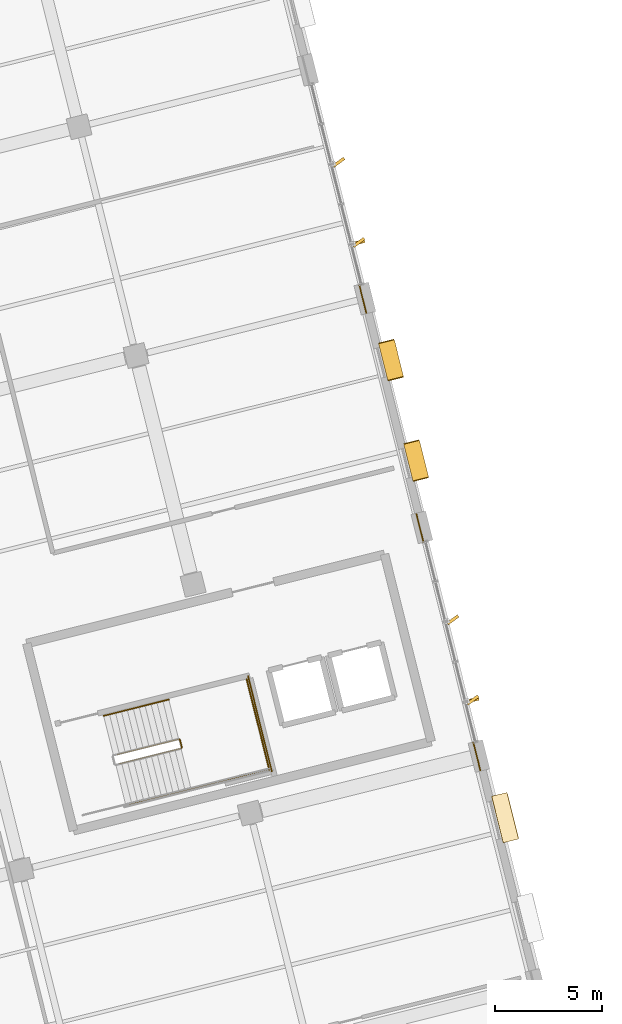
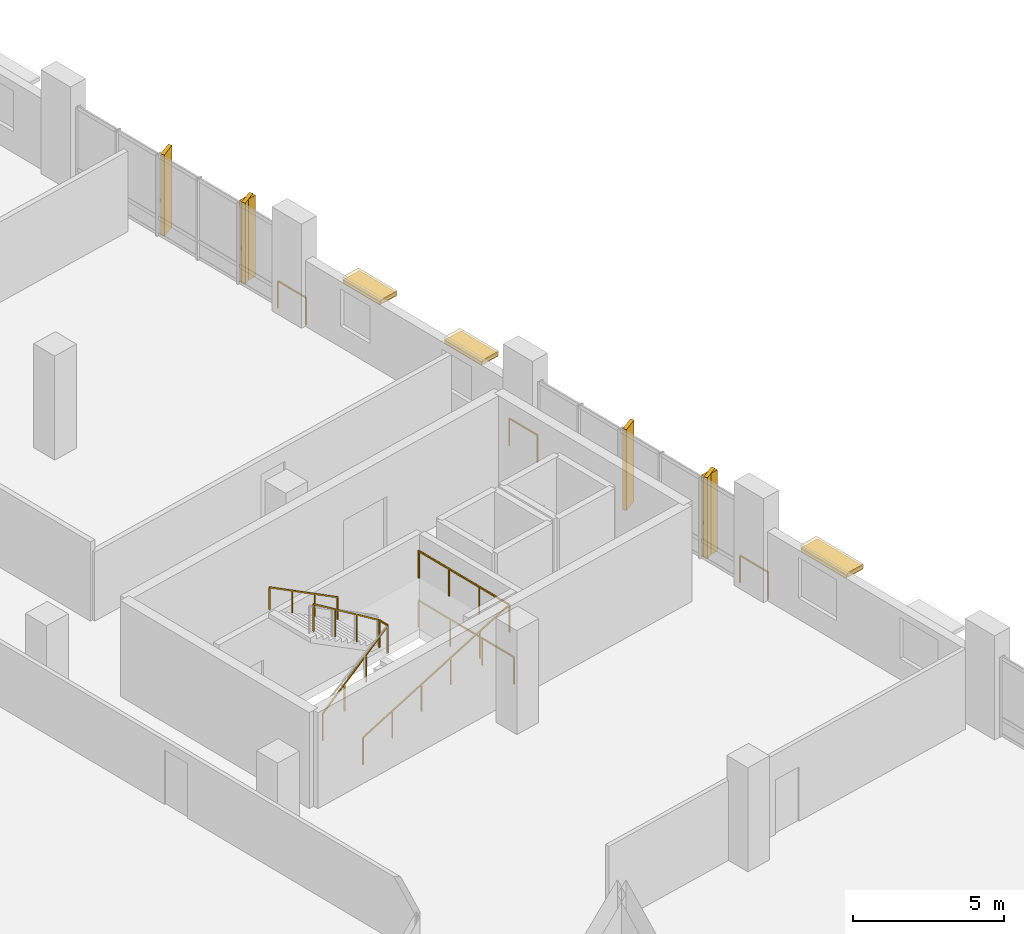
# One storey, part 74 of 75: 9 railings, 7 shading devices, 5 coverings.
"""IFC4 building model written with IfcOpenShell, lengths in metres."""

from ifc_helpers import new_model, si_unit, direction, frame, origin, origin_2d, place, context, subcontext, project, spatial, rectangle, extrude, material, layer, layer_set, type_object, element, save


model = new_model("IFC4")

# Units and contexts
model_context = context("Model", 3, precision=1e-05, world=origin(), true_north=direction((0.0, 1.0)))
body_context = subcontext(model_context, "Body", "Model", "MODEL_VIEW")
ifc_project = project(units=[si_unit("LENGTHUNIT", "METRE"), si_unit("AREAUNIT", "SQUARE_METRE"), si_unit("VOLUMEUNIT", "CUBIC_METRE"), si_unit("PLANEANGLEUNIT", "RADIAN"), si_unit("MASSUNIT", "GRAM", prefix="KILO")], contexts=[model_context])

# Site, building, storey
site_placement = place(None, origin())
site = spatial("IfcSite", under=ifc_project, at=site_placement, CompositionType="ELEMENT")
building_placement = place(site_placement, origin())
building = spatial("IfcBuilding", under=site, at=building_placement, Name="Khorjan Park Terminus", CompositionType="ELEMENT")
storey_placement = place(building_placement, frame((0.0, 0.0, 16.2)))
storey = spatial("IfcBuildingStorey", under=building, at=storey_placement, Name="L03", CompositionType="ELEMENT", Elevation=16.2)

# Coverings
ifc_material_1 = material(Name="Pigmented Precast GRC", Category="concrete")
ifc_layer_1 = layer(ifc_material_1, 0.16)
ifc_layer_set_1 = layer_set([ifc_layer_1], Name="Pigmented Precast GRC")
covering_type_1 = type_object("IfcCoveringType", Name="CV-FIN-GRC", PredefinedType="CLADDING", material=ifc_layer_set_1)
covering_1_placement = place(storey_placement, frame((224.4308, 41.9297, -0.02), z_axis=(0.0, 0.0, 1.0), x_axis=(-0.970295726276, -0.2419218956, 0.0)))
element("IfcCovering", 1, at=covering_1_placement, inside=storey, type_object=covering_type_1, Name="Projecting desert-sandstone GRC facade fin CL-FN1 (CW-V5-E-L03-B03-1)", PredefinedType="CLADDING", context=body_context, shape_type="SweptSolid", body=[
    extrude(rectangle(XDim=0.58, YDim=0.16, at=origin_2d()), origin(), (0.0, 0.0, 1.0), 3.275),
])
covering_2_placement = place(storey_placement, frame((219.1086, 63.2764, -0.02), z_axis=(0.0, 0.0, 1.0), x_axis=(-0.970295726276, -0.2419218956, 0.0)))
element("IfcCovering", 2, at=covering_2_placement, inside=storey, type_object=covering_type_1, Name="Projecting desert-sandstone GRC facade fin CL-FN1 (CW-V5-E-L03-B05-1)", PredefinedType="CLADDING", context=body_context, shape_type="SweptSolid", body=[
    extrude(rectangle(XDim=0.58, YDim=0.16, at=origin_2d()), origin(), (0.0, 0.0, 1.0), 3.285),
])
ifc_layer_2 = layer(ifc_material_1, 0.18)
ifc_layer_set_2 = layer_set([ifc_layer_2], Name="Pigmented Precast GRC")
covering_type_2 = type_object("IfcCoveringType", Name="CV-HOOD-GRC", PredefinedType="CLADDING", material=ifc_layer_set_2)
covering_3_placement = place(storey_placement, frame((225.9385, 36.4407, 2.58), z_axis=(0.0, 0.0, 1.0), x_axis=(-0.241919949632, 0.970296211458, 0.0)))
element("IfcCovering", 3, at=covering_3_placement, inside=storey, type_object=covering_type_2, Name="Projecting desert-sandstone GRC window eyebrow CL-HD1 (EW-V5-E-L03-B02-2)", PredefinedType="CLADDING", context=body_context, shape_type="SweptSolid", body=[
    extrude(rectangle(XDim=2.24, YDim=0.74, at=origin_2d()), origin(), (0.0, 0.0, 1.0), 0.16),
])
for number, where, z_axis, x_axis, name in (
    (4, (221.7858, 53.0963, 2.43), (0.0, 0.0, 1.0), (-0.241910213292, 0.970298638928, 0.0), "Projecting desert-sandstone GRC window eyebrow CL-HD1 (EW-V5-E-L03-B04-1)"),
    (5, (220.6161, 57.7876, 2.43), (0.0, 0.0, 1.0), (-0.241910213292, 0.970298638928, 0.0), "Projecting desert-sandstone GRC window eyebrow CL-HD1 (EW-V5-E-L03-B04-2)"),
):
    element("IfcCovering", number, at=place(storey_placement, frame(where, z_axis=z_axis, x_axis=x_axis)), inside=storey, type_object=covering_type_2, Name=name, PredefinedType="CLADDING", context=body_context, shape_type="SweptSolid", body=[
        extrude(rectangle(XDim=1.84, YDim=0.74, at=origin_2d()), origin(), (0.0, 0.0, 1.0), 0.16),
    ])

# Railings
ifc_material_2 = material(Name="Steel S355", Category="steel")
railing_type_1 = type_object("IfcRailingType", Name="GR-112", PredefinedType="GUARDRAIL", material=ifc_material_2)
railing_1_placement = place(storey_placement, frame((210.8518, 39.7211, 2.1)))
element("IfcRailing", 6, at=railing_1_placement, inside=storey, type_object=railing_type_1, Name="L03 ST-04 stair guard 2", PredefinedType="GUARDRAIL", context=body_context, shape_type="SweptSolid", body=[
    extrude(rectangle(XDim=0.048, YDim=0.048, at=origin_2d()), frame((0.0, 0.0, 1.096), z_axis=(-0.241947338122, 0.970289382388, 0.0), x_axis=(-0.970289382388, -0.241947338122, 0.0)), (0.0, 0.0, 1.0), 0.36),
    extrude(rectangle(XDim=0.042, YDim=0.042, at=origin_2d()), origin(), (0.0, 0.0, 1.0), 1.072),
    extrude(rectangle(XDim=0.042, YDim=0.042, at=origin_2d()), frame((-0.0871, 0.3493, 0.0)), (0.0, 0.0, 1.0), 1.072),
])
railing_2_placement = place(storey_placement, frame((214.9305, 38.6768, 2.1)))
element("IfcRailing", 7, at=railing_2_placement, inside=storey, type_object=railing_type_1, Name="L03 ST-04 stair guard 4", PredefinedType="GUARDRAIL", context=body_context, shape_type="SweptSolid", body=[
    extrude(rectangle(XDim=0.048, YDim=0.048, at=origin_2d()), frame((0.0, 0.0, 1.096), z_axis=(-0.241904163851, 0.970300147125, 0.0), x_axis=(-0.970300147125, -0.241904163851, 0.0)), (0.0, 0.0, 1.0), 4.36),
    extrude(rectangle(XDim=0.042, YDim=0.042, at=origin_2d()), origin(), (0.0, 0.0, 1.0), 1.072),
    extrude(rectangle(XDim=0.042, YDim=0.042, at=origin_2d()), frame((-0.3516, 1.4102, 0.0)), (0.0, 0.0, 1.0), 1.072),
    extrude(rectangle(XDim=0.042, YDim=0.042, at=origin_2d()), frame((-0.7031, 2.8203, 0.0)), (0.0, 0.0, 1.0), 1.072),
    extrude(rectangle(XDim=0.042, YDim=0.042, at=origin_2d()), frame((-1.0547, 4.2305, 0.0)), (0.0, 0.0, 1.0), 1.072),
])
railing_3_placement = place(storey_placement, frame((215.0518, 38.604, 0.0)))
element("IfcRailing", 8, at=railing_3_placement, inside=storey, type_object=railing_type_1, Name="L03 ST-04 stair guard 9", PredefinedType="GUARDRAIL", context=body_context, shape_type="SweptSolid", body=[
    extrude(rectangle(XDim=0.048, YDim=0.048, at=origin_2d()), frame((0.0, 0.0, 1.096), z_axis=(-0.24193185783, 0.970293242359, 0.0), x_axis=(-0.970293242359, -0.24193185783, 0.0)), (0.0, 0.0, 1.0), 4.56),
    extrude(rectangle(XDim=0.042, YDim=0.042, at=origin_2d()), origin(), (0.0, 0.0, 1.0), 1.072),
    extrude(rectangle(XDim=0.042, YDim=0.042, at=origin_2d()), frame((-0.3677, 1.4748, 0.0)), (0.0, 0.0, 1.0), 1.072),
    extrude(rectangle(XDim=0.042, YDim=0.042, at=origin_2d()), frame((-0.7355, 2.9497, 0.0)), (0.0, 0.0, 1.0), 1.072),
    extrude(rectangle(XDim=0.042, YDim=0.042, at=origin_2d()), frame((-1.1032, 4.4245, 0.0)), (0.0, 0.0, 1.0), 1.072),
])
railing_4_placement = place(storey_placement, frame((207.9457, 38.9553, 0.0)))
element("IfcRailing", 9, at=railing_4_placement, inside=storey, type_object=railing_type_1, Name="Core K4 stair well slot guard GR-112 (L03)", PredefinedType="GUARDRAIL", context=body_context, shape_type="SweptSolid", body=[
    extrude(rectangle(XDim=0.048, YDim=0.048, at=origin_2d()), frame((0.0, 0.0, 1.096), z_axis=(0.79445963012, 0.198068135589, 0.57411053794), x_axis=(-0.241907065545, 0.970299423704, 0.0)), (0.0, 0.0, 1.0), 3.6578),
    extrude(rectangle(XDim=0.048, YDim=0.048, at=origin_2d()), frame((2.906, 0.7245, 3.196), z_axis=(-0.241786986316, 0.970329352977, 0.0), x_axis=(-0.970329352977, -0.241786986316, 0.0)), (0.0, 0.0, 1.0), 0.4401),
    extrude(rectangle(XDim=0.048, YDim=0.048, at=origin_2d()), frame((2.7996, 1.1515, 3.196), z_axis=(-0.79446541114, -0.198090099072, 0.574094960047), x_axis=(0.241930662851, -0.970293540313, 0.0)), (0.0, 0.0, 1.0), 3.6579),
    extrude(rectangle(XDim=0.042, YDim=0.042, at=origin_2d()), origin(), (0.0, 0.0, 1.0), 1.072),
    extrude(rectangle(XDim=0.042, YDim=0.042, at=origin_2d()), frame((0.9687, 0.2415, 0.7)), (0.0, 0.0, 1.0), 1.072),
    extrude(rectangle(XDim=0.042, YDim=0.042, at=origin_2d()), frame((1.9373, 0.483, 1.4)), (0.0, 0.0, 1.0), 1.072),
    extrude(rectangle(XDim=0.042, YDim=0.042, at=origin_2d()), frame((2.906, 0.7245, 2.1)), (0.0, 0.0, 1.0), 1.072),
    extrude(rectangle(XDim=0.042, YDim=0.042, at=origin_2d()), frame((2.7996, 1.1515, 2.1)), (0.0, 0.0, 1.0), 1.072),
    extrude(rectangle(XDim=0.042, YDim=0.042, at=origin_2d()), frame((1.8309, 0.91, 2.8)), (0.0, 0.0, 1.0), 1.072),
    extrude(rectangle(XDim=0.042, YDim=0.042, at=origin_2d()), frame((0.8622, 0.6684, 3.5)), (0.0, 0.0, 1.0), 1.072),
    extrude(rectangle(XDim=0.042, YDim=0.042, at=origin_2d()), frame((-0.1065, 0.4269, 4.2)), (0.0, 0.0, 1.0), 1.072),
])
railing_5_placement = place(storey_placement, frame((208.4102, 37.0923, 0.0)))
element("IfcRailing", 10, at=railing_5_placement, inside=storey, type_object=railing_type_1, Name="Core K4 stair side & landing guard GR-112 (L03)", PredefinedType="GUARDRAIL", context=body_context, shape_type="SweptSolid", body=[
    extrude(rectangle(XDim=0.048, YDim=0.048, at=origin_2d()), frame((0.0, 0.0, 1.096), z_axis=(0.926128560381, 0.230907183702, 0.298274642169), x_axis=(-0.241919330403, 0.970296365848, 0.0)), (0.0, 0.0, 1.0), 7.0405),
    extrude(rectangle(XDim=0.048, YDim=0.048, at=origin_2d()), frame((6.5204, 1.6257, 3.196), z_axis=(-0.2419363556, 0.970292120879, 0.0), x_axis=(-0.970292120879, -0.2419363556, 0.0)), (0.0, 0.0, 1.0), 4.2801),
    extrude(rectangle(XDim=0.042, YDim=0.042, at=origin_2d()), origin(), (0.0, 0.0, 1.0), 1.072),
    extrude(rectangle(XDim=0.042, YDim=0.042, at=origin_2d()), frame((1.3041, 0.3251, 0.42)), (0.0, 0.0, 1.0), 1.072),
    extrude(rectangle(XDim=0.042, YDim=0.042, at=origin_2d()), frame((2.6082, 0.6503, 0.84)), (0.0, 0.0, 1.0), 1.072),
    extrude(rectangle(XDim=0.042, YDim=0.042, at=origin_2d()), frame((3.9122, 0.9754, 1.26)), (0.0, 0.0, 1.0), 1.072),
    extrude(rectangle(XDim=0.042, YDim=0.042, at=origin_2d()), frame((5.2163, 1.3006, 1.68)), (0.0, 0.0, 1.0), 1.072),
    extrude(rectangle(XDim=0.042, YDim=0.042, at=origin_2d()), frame((6.5204, 1.6257, 2.1)), (0.0, 0.0, 1.0), 1.072),
    extrude(rectangle(XDim=0.042, YDim=0.042, at=origin_2d()), frame((6.1752, 3.01, 2.1)), (0.0, 0.0, 1.0), 1.072),
    extrude(rectangle(XDim=0.042, YDim=0.042, at=origin_2d()), frame((5.8301, 4.3943, 2.1)), (0.0, 0.0, 1.0), 1.072),
    extrude(rectangle(XDim=0.042, YDim=0.042, at=origin_2d()), frame((5.4849, 5.7786, 2.1)), (0.0, 0.0, 1.0), 1.072),
])
railing_6_placement = place(storey_placement, frame((219.1334, 61.2956, 0.0)))
element("IfcRailing", 11, at=railing_6_placement, inside=storey, type_object=railing_type_1, Name="Perimeter safety guard GR-112 (L03-88)", PredefinedType="GUARDRAIL", context=body_context, shape_type="SweptSolid", body=[
    extrude(rectangle(XDim=0.048, YDim=0.048, at=origin_2d()), frame((0.0, 0.0, 1.096), z_axis=(0.241923311945, -0.97029537314, 0.0), x_axis=(0.97029537314, 0.241923311945, 0.0)), (0.0, 0.0, 1.0), 1.3451),
    extrude(rectangle(XDim=0.042, YDim=0.042, at=origin_2d()), origin(), (0.0, 0.0, 1.0), 1.072),
    extrude(rectangle(XDim=0.042, YDim=0.042, at=origin_2d()), frame((0.3254, -1.3051, 0.0)), (0.0, 0.0, 1.0), 1.072),
])
railing_7_placement = place(storey_placement, frame((221.7981, 50.608, 0.0)))
element("IfcRailing", 12, at=railing_7_placement, inside=storey, type_object=railing_type_1, Name="Perimeter safety guard GR-112 (L03-89)", PredefinedType="GUARDRAIL", context=body_context, shape_type="SweptSolid", body=[
    extrude(rectangle(XDim=0.048, YDim=0.048, at=origin_2d()), frame((0.0, 0.0, 1.096), z_axis=(0.24194076503, -0.970291021404, 0.0), x_axis=(0.970291021404, 0.24194076503, 0.0)), (0.0, 0.0, 1.0), 1.345),
    extrude(rectangle(XDim=0.042, YDim=0.042, at=origin_2d()), origin(), (0.0, 0.0, 1.0), 1.072),
    extrude(rectangle(XDim=0.042, YDim=0.042, at=origin_2d()), frame((0.3254, -1.305, 0.0)), (0.0, 0.0, 1.0), 1.072),
])
railing_8_placement = place(storey_placement, frame((224.4558, 39.9487, 0.0)))
element("IfcRailing", 13, at=railing_8_placement, inside=storey, type_object=railing_type_1, Name="Perimeter safety guard GR-112 (L03-90)", PredefinedType="GUARDRAIL", context=body_context, shape_type="SweptSolid", body=[
    extrude(rectangle(XDim=0.048, YDim=0.048, at=origin_2d()), frame((0.0, 0.0, 1.096), z_axis=(0.241923311945, -0.97029537314, 0.0), x_axis=(0.97029537314, 0.241923311945, 0.0)), (0.0, 0.0, 1.0), 1.3451),
    extrude(rectangle(XDim=0.042, YDim=0.042, at=origin_2d()), origin(), (0.0, 0.0, 1.0), 1.072),
    extrude(rectangle(XDim=0.042, YDim=0.042, at=origin_2d()), frame((0.3254, -1.3051, 0.0)), (0.0, 0.0, 1.0), 1.072),
])
railing_type_2 = type_object("IfcRailingType", Name="HR-92", PredefinedType="HANDRAIL", material=ifc_material_2)
railing_9_placement = place(storey_placement, frame((210.2444, 41.9504, 2.275)))
element("IfcRailing", 14, at=railing_9_placement, inside=storey, type_object=railing_type_2, Name="L03 ST-04 stair handrail 2", PredefinedType="HANDRAIL", context=body_context, shape_type="SweptSolid", body=[
    extrude(rectangle(XDim=0.048, YDim=0.048, at=origin_2d()), frame((0.0, 0.0, 0.896), z_axis=(-0.826856598391, -0.206177300332, 0.523258145206), x_axis=(0.241942661201, -0.970290548594, 0.0)), (0.0, 0.0, 1.0), 3.6789),
    extrude(rectangle(XDim=0.042, YDim=0.042, at=origin_2d()), origin(), (0.0, 0.0, 1.0), 0.872),
    extrude(rectangle(XDim=0.042, YDim=0.042, at=origin_2d()), frame((-1.014, -0.2528, 0.6417)), (0.0, 0.0, 1.0), 0.872),
    extrude(rectangle(XDim=0.042, YDim=0.042, at=origin_2d()), frame((-2.0279, -0.5057, 1.2833)), (0.0, 0.0, 1.0), 0.872),
    extrude(rectangle(XDim=0.042, YDim=0.042, at=origin_2d()), frame((-3.0419, -0.7585, 1.925)), (0.0, 0.0, 1.0), 0.872),
])

# Shading devices
ifc_material_3 = material(Name="Anodized Bronze Aluminium", Category="aluminium")
shading_device_type_1 = type_object("IfcShadingDeviceType", Name="SD-FIN-620", PredefinedType="JALOUSIE", material=ifc_material_3)
for number, where, z_axis, x_axis, name in (
    (15, (224.4308, 41.9297, -0.02), (0.0, 0.0, 1.0), (-0.809016994375, -0.587785252292, 0.0), "Angled solar brise-soleil fin SF-62 (CW-V5-E-L03-B03-1)"),
    (16, (223.4979, 45.6714, -0.02), (0.0, 0.0, 1.0), (-0.809016994375, -0.587785252292, 0.0), "Angled solar brise-soleil fin SF-62 (CW-V5-E-L03-B03-3)"),
):
    element("IfcShadingDevice", number, at=place(storey_placement, frame(where, z_axis=z_axis, x_axis=x_axis)), inside=storey, type_object=shading_device_type_1, Name=name, PredefinedType="JALOUSIE", context=body_context, shape_type="SweptSolid", body=[
        extrude(rectangle(XDim=0.62, YDim=0.14, at=origin_2d()), origin(), (0.0, 0.0, 1.0), 3.275),
    ])
for number, where, z_axis, x_axis, name in (
    (17, (219.1086, 63.2764, -0.02), (0.0, 0.0, 1.0), (-0.809016994375, -0.587785252292, 0.0), "Angled solar brise-soleil fin SF-62 (CW-V5-E-L03-B05-1)"),
    (18, (218.1757, 67.0177, -0.02), (0.0, 0.0, 1.0), (-0.809016994375, -0.587785252292, 0.0), "Angled solar brise-soleil fin SF-62 (CW-V5-E-L03-B05-3)"),
):
    element("IfcShadingDevice", number, at=place(storey_placement, frame(where, z_axis=z_axis, x_axis=x_axis)), inside=storey, type_object=shading_device_type_1, Name=name, PredefinedType="JALOUSIE", context=body_context, shape_type="SweptSolid", body=[
        extrude(rectangle(XDim=0.62, YDim=0.14, at=origin_2d()), origin(), (0.0, 0.0, 1.0), 3.285),
    ])
shading_device_type_2 = type_object("IfcShadingDeviceType", Name="SD-SUN-750", PredefinedType="SHUTTER", material=ifc_material_3)
shading_device_placement = place(storey_placement, frame((225.9385, 36.4407, 2.51), z_axis=(0.0, 0.0, 1.0), x_axis=(-0.241919949632, 0.970296211458, 0.0)))
element("IfcShadingDevice", 19, at=shading_device_placement, inside=storey, type_object=shading_device_type_2, Name="Projecting solar overhang hood SH-75 (EW-V5-E-L03-B02-2)", PredefinedType="SHUTTER", context=body_context, shape_type="SweptSolid", body=[
    extrude(rectangle(XDim=2.16, YDim=0.76, at=origin_2d()), origin(), (0.0, 0.0, 1.0), 0.14),
])
for number, where, z_axis, x_axis, name in (
    (20, (221.7858, 53.0963, 2.36), (0.0, 0.0, 1.0), (-0.241910213292, 0.970298638928, 0.0), "Projecting solar overhang hood SH-75 (EW-V5-E-L03-B04-1)"),
    (21, (220.6161, 57.7876, 2.36), (0.0, 0.0, 1.0), (-0.241910213292, 0.970298638928, 0.0), "Projecting solar overhang hood SH-75 (EW-V5-E-L03-B04-2)"),
):
    element("IfcShadingDevice", number, at=place(storey_placement, frame(where, z_axis=z_axis, x_axis=x_axis)), inside=storey, type_object=shading_device_type_2, Name=name, PredefinedType="SHUTTER", context=body_context, shape_type="SweptSolid", body=[
        extrude(rectangle(XDim=1.76, YDim=0.76, at=origin_2d()), origin(), (0.0, 0.0, 1.0), 0.14),
    ])

save(model, "model.ifc")
